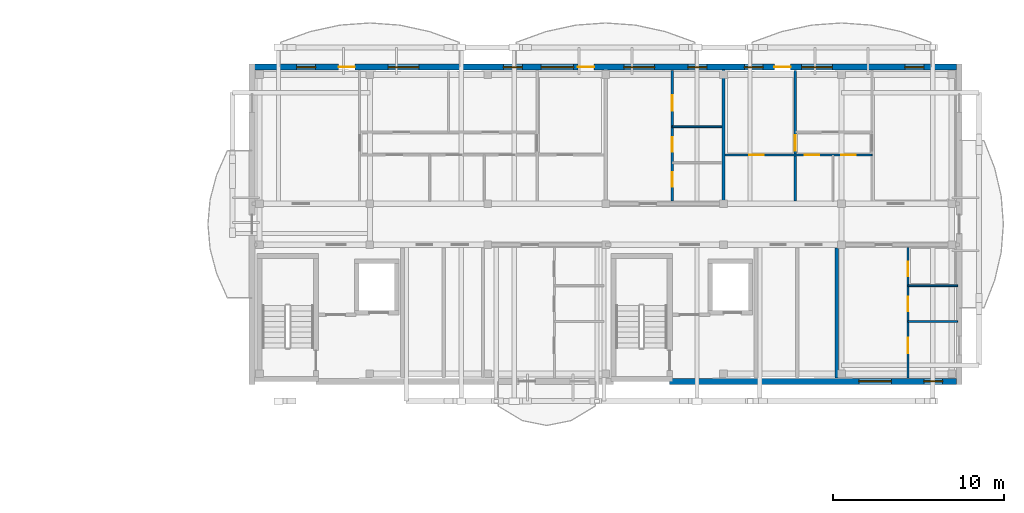
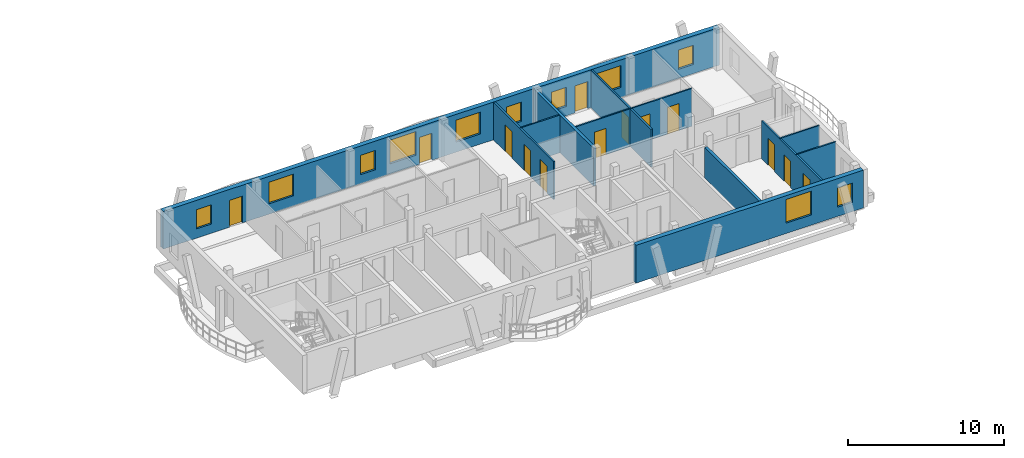
# One storey, part 30 of 42: 13 doors, 11 walls, 11 windows, 24 openings.
"""IFC4 building model written with IfcOpenShell, lengths in metres."""

from ifc_helpers import new_model, si_unit, direction, frame, frame_2d, origin, origin_with_axes, place, context, subcontext, project, spatial, rectangle, extrude, material, layer, layer_set, type_object, element, fill, save


model = new_model("IFC4")

# Units and contexts
model_context = context("Model", 3, precision=1e-05, world=origin(), true_north=direction((0.0, 1.0)))
body_context = subcontext(model_context, "Body", "Model", "MODEL_VIEW")
ifc_project = project(units=[si_unit("LENGTHUNIT", "METRE"), si_unit("AREAUNIT", "SQUARE_METRE"), si_unit("VOLUMEUNIT", "CUBIC_METRE"), si_unit("PLANEANGLEUNIT", "RADIAN"), si_unit("MASSUNIT", "GRAM", prefix="KILO")], contexts=[model_context])

# Site, building, storey
site_placement = place(None, origin())
site = spatial("IfcSite", under=ifc_project, at=site_placement, CompositionType="ELEMENT")
building_placement = place(site_placement, origin())
building = spatial("IfcBuilding", under=site, at=building_placement, Name="Zavelmont Quarter", CompositionType="ELEMENT")
storey_placement = place(building_placement, frame((0.0, 0.0, 24.0)))
storey = spatial("IfcBuildingStorey", under=building, at=storey_placement, Name="L07", CompositionType="ELEMENT", Elevation=24.0)

# Wall, openings, windows
ifc_material_1 = material(Name="Natural Belgian limestone", Category="masonry")
ifc_layer_1 = layer(ifc_material_1, 0.340087890625)
ifc_layer_set_1 = layer_set([ifc_layer_1], Name="Natural Belgian limestone")
wall_type_1 = type_object("IfcWallType", Name="EW03", PredefinedType="STANDARD", material=ifc_layer_set_1)
wall_1_placement = place(storey_placement, frame((151.050048828125, 97.60009765625, 0.0), z_axis=(0.0, 0.0, 1.0), x_axis=(1.0, 0.0, 0.0)))
wall_1 = element("IfcWall", 1, at=wall_1_placement, inside=storey, type_object=wall_type_1, Name="L07 exterior limestone wall EW03", PredefinedType="STANDARD", context=body_context, shape_type="SweptSolid", body=[
    extrude(rectangle(XDim=16.7900390625, YDim=0.340087890625, at=frame_2d((8.39501953125, 0.0))), origin(), (0.0, 0.0, 1.0), 2.949951171875),
])
opening_1_placement = place(wall_1_placement, frame((11.070068359375, 0.0, 0.800048828125)))
opening_1 = element("IfcOpeningElement", 2, at=opening_1_placement, cuts=wall_1, Name="Opening WN20", PredefinedType="OPENING", context=body_context, shape_type="SweptSolid", body=[
    extrude(rectangle(XDim=1.89990234375, YDim=1.85009765625, at=frame_2d((0.949951171875, 0.925048828125))), frame((0.0, 0.18212890625, 0.0), z_axis=(0.0, -1.0, 0.0), x_axis=(1.0, 0.0, 0.0)), (0.0, 0.0, 1.0), 0.364013671875),
])
opening_2_placement = place(wall_1_placement, frame((14.8701171875, 0.0, 0.719970703125)))
opening_2 = element("IfcOpeningElement", 3, at=opening_2_placement, cuts=wall_1, Name="Opening WN09", PredefinedType="OPENING", context=body_context, shape_type="SweptSolid", body=[
    extrude(rectangle(XDim=1.10009765625, YDim=1.5, at=frame_2d((0.550048828125, 0.75))), frame((0.0, 0.18212890625, 0.0), z_axis=(0.0, -1.0, 0.0), x_axis=(1.0, 0.0, 0.0)), (0.0, 0.0, 1.0), 0.364013671875),
])
ifc_material_2 = material(Name="Double low-E insulated glazing in thermally broken aluminium frame", Category="aluminium")
window_type_1 = type_object("IfcWindowType", Name="WN09", PartitioningType="SINGLE_PANEL", PredefinedType="WINDOW", material=ifc_material_2)
window_1_placement = place(opening_2_placement, origin_with_axes())
window_1 = element("IfcWindow", 4, at=window_1_placement, inside=storey, type_object=window_type_1, Name="L07 window WN09", OverallHeight=1.5, OverallWidth=1.10009765625, PartitioningType="SINGLE_PANEL", PredefinedType="WINDOW", context=body_context, shape_type="SweptSolid", body=[
    extrude(rectangle(XDim=1.10009765625, YDim=1.5, at=frame_2d((0.550048828125, 0.75))), frame((0.0, 0.030029296875, 0.0), z_axis=(0.0, -1.0, 0.0), x_axis=(1.0, 0.0, 0.0)), (0.0, 0.0, 1.0), 0.06005859375),
])
fill(opening_2, window_1)
window_type_2 = type_object("IfcWindowType", Name="WN20", PartitioningType="SINGLE_PANEL", PredefinedType="WINDOW", material=ifc_material_2)
window_2_placement = place(opening_1_placement, origin_with_axes())
window_2 = element("IfcWindow", 5, at=window_2_placement, inside=storey, type_object=window_type_2, Name="L07 window WN20", OverallHeight=1.85009765625, OverallWidth=1.89990234375, PartitioningType="SINGLE_PANEL", PredefinedType="WINDOW", context=body_context, shape_type="SweptSolid", body=[
    extrude(rectangle(XDim=1.89990234375, YDim=1.85009765625, at=frame_2d((0.949951171875, 0.925048828125))), frame((0.0, 0.030029296875, 0.0), z_axis=(0.0, -1.0, 0.0), x_axis=(1.0, 0.0, 0.0)), (0.0, 0.0, 1.0), 0.06005859375),
])
fill(opening_1, window_2)

# Wall, openings, doors, windows
wall_2_placement = place(storey_placement, frame((126.760009765625, 116.0, 0.0), z_axis=(0.0, 0.0, 1.0), x_axis=(1.0, 0.0, 0.0)))
wall_2 = element("IfcWall", 6, at=wall_2_placement, inside=storey, type_object=wall_type_1, Name="L07 exterior limestone wall EW03", PredefinedType="STANDARD", context=body_context, shape_type="SweptSolid", body=[
    extrude(rectangle(XDim=41.080078125, YDim=0.340087890625, at=frame_2d((20.5400390625, 0.0))), origin(), (0.0, 0.0, 1.0), 2.949951171875),
])
opening_3_placement = place(wall_2_placement, frame((4.910888671875, 0.0, 0.0)))
opening_3 = element("IfcOpeningElement", 7, at=opening_3_placement, cuts=wall_2, Name="Opening DR04", PredefinedType="OPENING", context=body_context, shape_type="SweptSolid", body=[
    extrude(rectangle(XDim=0.949951171875, YDim=2.10009765625, at=frame_2d((0.47509765625, 1.050048828125))), frame((0.0, 0.18212890625, 0.0), z_axis=(0.0, -1.0, 0.0), x_axis=(1.0, 0.0, 0.0)), (0.0, 0.0, 1.0), 0.364013671875),
])
opening_4_placement = place(wall_2_placement, frame((18.909912109375, 0.0, 0.0)))
opening_4 = element("IfcOpeningElement", 8, at=opening_4_placement, cuts=wall_2, Name="Opening DR04", PredefinedType="OPENING", context=body_context, shape_type="SweptSolid", body=[
    extrude(rectangle(XDim=0.949951171875, YDim=2.10009765625, at=frame_2d((0.47509765625, 1.050048828125))), frame((0.0, 0.18212890625, 0.0), z_axis=(0.0, -1.0, 0.0), x_axis=(1.0, 0.0, 0.0)), (0.0, 0.0, 1.0), 0.364013671875),
])
opening_5_placement = place(wall_2_placement, frame((30.410888671875, 0.0, 0.0)))
opening_5 = element("IfcOpeningElement", 9, at=opening_5_placement, cuts=wall_2, Name="Opening DR04", PredefinedType="OPENING", context=body_context, shape_type="SweptSolid", body=[
    extrude(rectangle(XDim=0.949951171875, YDim=2.10009765625, at=frame_2d((0.47509765625, 1.050048828125))), frame((0.0, 0.18212890625, 0.0), z_axis=(0.0, -1.0, 0.0), x_axis=(1.0, 0.0, 0.0)), (0.0, 0.0, 1.0), 0.364013671875),
])
opening_6_placement = place(wall_2_placement, frame((2.4599609375, 0.0, 0.719970703125)))
opening_6 = element("IfcOpeningElement", 10, at=opening_6_placement, cuts=wall_2, Name="Opening WN09", PredefinedType="OPENING", context=body_context, shape_type="SweptSolid", body=[
    extrude(rectangle(XDim=1.10009765625, YDim=1.5, at=frame_2d((0.550048828125, 0.75))), frame((0.0, 0.18212890625, 0.0), z_axis=(0.0, -1.0, 0.0), x_axis=(1.0, 0.0, 0.0)), (0.0, 0.0, 1.0), 0.364013671875),
])
opening_7_placement = place(wall_2_placement, frame((7.81005859375, 0.0, 0.800048828125)))
opening_7 = element("IfcOpeningElement", 11, at=opening_7_placement, cuts=wall_2, Name="Opening WN02", PredefinedType="OPENING", context=body_context, shape_type="SweptSolid", body=[
    extrude(rectangle(XDim=1.800048828125, YDim=1.699951171875, at=frame_2d((0.89990234375, 0.85009765625))), frame((0.0, 0.18212890625, 0.0), z_axis=(0.0, -1.0, 0.0), x_axis=(1.0, 0.0, 0.0)), (0.0, 0.0, 1.0), 0.364013671875),
])
opening_8_placement = place(wall_2_placement, frame((14.56005859375, 0.0, 0.719970703125)))
opening_8 = element("IfcOpeningElement", 12, at=opening_8_placement, cuts=wall_2, Name="Opening WN09", PredefinedType="OPENING", context=body_context, shape_type="SweptSolid", body=[
    extrude(rectangle(XDim=1.10009765625, YDim=1.5, at=frame_2d((0.550048828125, 0.75))), frame((0.0, 0.18212890625, 0.0), z_axis=(0.0, -1.0, 0.0), x_axis=(1.0, 0.0, 0.0)), (0.0, 0.0, 1.0), 0.364013671875),
])
opening_9_placement = place(wall_2_placement, frame((16.760009765625, 0.0, 0.800048828125)))
opening_9 = element("IfcOpeningElement", 13, at=opening_9_placement, cuts=wall_2, Name="Opening WN20", PredefinedType="OPENING", context=body_context, shape_type="SweptSolid", body=[
    extrude(rectangle(XDim=1.89990234375, YDim=1.85009765625, at=frame_2d((0.949951171875, 0.925048828125))), frame((0.0, 0.18212890625, 0.0), z_axis=(0.0, -1.0, 0.0), x_axis=(1.0, 0.0, 0.0)), (0.0, 0.0, 1.0), 0.364013671875),
])
opening_10_placement = place(wall_2_placement, frame((21.610107421875, 0.0, 0.800048828125)))
opening_10 = element("IfcOpeningElement", 14, at=opening_10_placement, cuts=wall_2, Name="Opening WN02", PredefinedType="OPENING", context=body_context, shape_type="SweptSolid", body=[
    extrude(rectangle(XDim=1.800048828125, YDim=1.699951171875, at=frame_2d((0.89990234375, 0.85009765625))), frame((0.0, 0.18212890625, 0.0), z_axis=(0.0, -1.0, 0.0), x_axis=(1.0, 0.0, 0.0)), (0.0, 0.0, 1.0), 0.364013671875),
])
opening_11_placement = place(wall_2_placement, frame((25.360107421875, 0.0, 0.719970703125)))
opening_11 = element("IfcOpeningElement", 15, at=opening_11_placement, cuts=wall_2, Name="Opening WN09", PredefinedType="OPENING", context=body_context, shape_type="SweptSolid", body=[
    extrude(rectangle(XDim=1.10009765625, YDim=1.5, at=frame_2d((0.550048828125, 0.75))), frame((0.0, 0.18212890625, 0.0), z_axis=(0.0, -1.0, 0.0), x_axis=(1.0, 0.0, 0.0)), (0.0, 0.0, 1.0), 0.364013671875),
])
opening_12_placement = place(wall_2_placement, frame((28.659912109375, 0.0, 0.719970703125)))
opening_12 = element("IfcOpeningElement", 16, at=opening_12_placement, cuts=wall_2, Name="Opening WN09", PredefinedType="OPENING", context=body_context, shape_type="SweptSolid", body=[
    extrude(rectangle(XDim=1.10009765625, YDim=1.5, at=frame_2d((0.550048828125, 0.75))), frame((0.0, 0.18212890625, 0.0), z_axis=(0.0, -1.0, 0.0), x_axis=(1.0, 0.0, 0.0)), (0.0, 0.0, 1.0), 0.364013671875),
])
opening_13_placement = place(wall_2_placement, frame((32.010009765625, 0.0, 0.800048828125)))
opening_13 = element("IfcOpeningElement", 17, at=opening_13_placement, cuts=wall_2, Name="Opening WN02", PredefinedType="OPENING", context=body_context, shape_type="SweptSolid", body=[
    extrude(rectangle(XDim=1.800048828125, YDim=1.699951171875, at=frame_2d((0.89990234375, 0.85009765625))), frame((0.0, 0.18212890625, 0.0), z_axis=(0.0, -1.0, 0.0), x_axis=(1.0, 0.0, 0.0)), (0.0, 0.0, 1.0), 0.364013671875),
])
opening_14_placement = place(wall_2_placement, frame((38.06005859375, 0.0, 0.719970703125)))
opening_14 = element("IfcOpeningElement", 18, at=opening_14_placement, cuts=wall_2, Name="Opening WN09", PredefinedType="OPENING", context=body_context, shape_type="SweptSolid", body=[
    extrude(rectangle(XDim=1.10009765625, YDim=1.5, at=frame_2d((0.550048828125, 0.75))), frame((0.0, 0.18212890625, 0.0), z_axis=(0.0, -1.0, 0.0), x_axis=(1.0, 0.0, 0.0)), (0.0, 0.0, 1.0), 0.364013671875),
])
ifc_material_3 = material(Name="Thermally broken aluminium and double safety glass", Category="aluminium")
door_type_1 = type_object("IfcDoorType", Name="DR04", OperationType="NOTDEFINED", PredefinedType="DOOR", material=ifc_material_3)
door_1_placement = place(opening_3_placement, frame((0.949951171875, 0.0, 0.0), z_axis=(0.0, 0.0, 1.0), x_axis=(-1.0, 0.0, 0.0)))
door_1 = element("IfcDoor", 19, at=door_1_placement, inside=storey, type_object=door_type_1, Name="Block C L07 glazed balcony door", OperationType="SINGLE_SWING_LEFT", OverallHeight=2.10009765625, OverallWidth=0.949951171875, PredefinedType="DOOR", context=body_context, shape_type="SweptSolid", body=[
    extrude(rectangle(XDim=0.949951171875, YDim=2.10009765625, at=frame_2d((0.47509765625, 1.050048828125))), frame((0.0, 0.02490234375, 0.0), z_axis=(0.0, -1.0, 0.0), x_axis=(1.0, 0.0, 0.0)), (0.0, 0.0, 1.0), 0.050048828125),
])
fill(opening_3, door_1)
door_2_placement = place(opening_4_placement, frame((0.949951171875, 0.0, 0.0), z_axis=(0.0, 0.0, 1.0), x_axis=(-1.0, 0.0, 0.0)))
door_2 = element("IfcDoor", 20, at=door_2_placement, inside=storey, type_object=door_type_1, Name="Block C L07 glazed balcony door", OperationType="SINGLE_SWING_LEFT", OverallHeight=2.10009765625, OverallWidth=0.949951171875, PredefinedType="DOOR", context=body_context, shape_type="SweptSolid", body=[
    extrude(rectangle(XDim=0.949951171875, YDim=2.10009765625, at=frame_2d((0.47509765625, 1.050048828125))), frame((0.0, 0.02490234375, 0.0), z_axis=(0.0, -1.0, 0.0), x_axis=(1.0, 0.0, 0.0)), (0.0, 0.0, 1.0), 0.050048828125),
])
fill(opening_4, door_2)
door_3_placement = place(opening_5_placement, frame((0.949951171875, 0.0, 0.0), z_axis=(0.0, 0.0, 1.0), x_axis=(-1.0, 0.0, 0.0)))
door_3 = element("IfcDoor", 21, at=door_3_placement, inside=storey, type_object=door_type_1, Name="Block C L07 glazed balcony door", OperationType="SINGLE_SWING_LEFT", OverallHeight=2.10009765625, OverallWidth=0.949951171875, PredefinedType="DOOR", context=body_context, shape_type="SweptSolid", body=[
    extrude(rectangle(XDim=0.949951171875, YDim=2.10009765625, at=frame_2d((0.47509765625, 1.050048828125))), frame((0.0, 0.02490234375, 0.0), z_axis=(0.0, -1.0, 0.0), x_axis=(1.0, 0.0, 0.0)), (0.0, 0.0, 1.0), 0.050048828125),
])
fill(opening_5, door_3)
window_type_3 = type_object("IfcWindowType", Name="WN02", PartitioningType="SINGLE_PANEL", PredefinedType="WINDOW", material=ifc_material_2)
window_3_placement = place(opening_7_placement, origin_with_axes())
window_3 = element("IfcWindow", 22, at=window_3_placement, inside=storey, type_object=window_type_3, Name="L07 window WN02", OverallHeight=1.699951171875, OverallWidth=1.800048828125, PartitioningType="SINGLE_PANEL", PredefinedType="WINDOW", context=body_context, shape_type="SweptSolid", body=[
    extrude(rectangle(XDim=1.800048828125, YDim=1.699951171875, at=frame_2d((0.89990234375, 0.85009765625))), frame((0.0, 0.030029296875, 0.0), z_axis=(0.0, -1.0, 0.0), x_axis=(1.0, 0.0, 0.0)), (0.0, 0.0, 1.0), 0.06005859375),
])
fill(opening_7, window_3)
window_4_placement = place(opening_10_placement, origin_with_axes())
window_4 = element("IfcWindow", 23, at=window_4_placement, inside=storey, type_object=window_type_3, Name="L07 window WN02", OverallHeight=1.699951171875, OverallWidth=1.800048828125, PartitioningType="SINGLE_PANEL", PredefinedType="WINDOW", context=body_context, shape_type="SweptSolid", body=[
    extrude(rectangle(XDim=1.800048828125, YDim=1.699951171875, at=frame_2d((0.89990234375, 0.85009765625))), frame((0.0, 0.030029296875, 0.0), z_axis=(0.0, -1.0, 0.0), x_axis=(1.0, 0.0, 0.0)), (0.0, 0.0, 1.0), 0.06005859375),
])
fill(opening_10, window_4)
window_5_placement = place(opening_13_placement, origin_with_axes())
window_5 = element("IfcWindow", 24, at=window_5_placement, inside=storey, type_object=window_type_3, Name="L07 window WN02", OverallHeight=1.699951171875, OverallWidth=1.800048828125, PartitioningType="SINGLE_PANEL", PredefinedType="WINDOW", context=body_context, shape_type="SweptSolid", body=[
    extrude(rectangle(XDim=1.800048828125, YDim=1.699951171875, at=frame_2d((0.89990234375, 0.85009765625))), frame((0.0, 0.030029296875, 0.0), z_axis=(0.0, -1.0, 0.0), x_axis=(1.0, 0.0, 0.0)), (0.0, 0.0, 1.0), 0.06005859375),
])
fill(opening_13, window_5)
window_6_placement = place(opening_6_placement, origin_with_axes())
window_6 = element("IfcWindow", 25, at=window_6_placement, inside=storey, type_object=window_type_1, Name="L07 window WN09", OverallHeight=1.5, OverallWidth=1.10009765625, PartitioningType="SINGLE_PANEL", PredefinedType="WINDOW", context=body_context, shape_type="SweptSolid", body=[
    extrude(rectangle(XDim=1.10009765625, YDim=1.5, at=frame_2d((0.550048828125, 0.75))), frame((0.0, 0.030029296875, 0.0), z_axis=(0.0, -1.0, 0.0), x_axis=(1.0, 0.0, 0.0)), (0.0, 0.0, 1.0), 0.06005859375),
])
fill(opening_6, window_6)
window_7_placement = place(opening_8_placement, origin_with_axes())
window_7 = element("IfcWindow", 26, at=window_7_placement, inside=storey, type_object=window_type_1, Name="L07 window WN09", OverallHeight=1.5, OverallWidth=1.10009765625, PartitioningType="SINGLE_PANEL", PredefinedType="WINDOW", context=body_context, shape_type="SweptSolid", body=[
    extrude(rectangle(XDim=1.10009765625, YDim=1.5, at=frame_2d((0.550048828125, 0.75))), frame((0.0, 0.030029296875, 0.0), z_axis=(0.0, -1.0, 0.0), x_axis=(1.0, 0.0, 0.0)), (0.0, 0.0, 1.0), 0.06005859375),
])
fill(opening_8, window_7)
window_8_placement = place(opening_11_placement, origin_with_axes())
window_8 = element("IfcWindow", 27, at=window_8_placement, inside=storey, type_object=window_type_1, Name="L07 window WN09", OverallHeight=1.5, OverallWidth=1.10009765625, PartitioningType="SINGLE_PANEL", PredefinedType="WINDOW", context=body_context, shape_type="SweptSolid", body=[
    extrude(rectangle(XDim=1.10009765625, YDim=1.5, at=frame_2d((0.550048828125, 0.75))), frame((0.0, 0.030029296875, 0.0), z_axis=(0.0, -1.0, 0.0), x_axis=(1.0, 0.0, 0.0)), (0.0, 0.0, 1.0), 0.06005859375),
])
fill(opening_11, window_8)
window_9_placement = place(opening_12_placement, origin_with_axes())
window_9 = element("IfcWindow", 28, at=window_9_placement, inside=storey, type_object=window_type_1, Name="L07 window WN09", OverallHeight=1.5, OverallWidth=1.10009765625, PartitioningType="SINGLE_PANEL", PredefinedType="WINDOW", context=body_context, shape_type="SweptSolid", body=[
    extrude(rectangle(XDim=1.10009765625, YDim=1.5, at=frame_2d((0.550048828125, 0.75))), frame((0.0, 0.030029296875, 0.0), z_axis=(0.0, -1.0, 0.0), x_axis=(1.0, 0.0, 0.0)), (0.0, 0.0, 1.0), 0.06005859375),
])
fill(opening_12, window_9)
window_10_placement = place(opening_14_placement, origin_with_axes())
window_10 = element("IfcWindow", 29, at=window_10_placement, inside=storey, type_object=window_type_1, Name="L07 window WN09", OverallHeight=1.5, OverallWidth=1.10009765625, PartitioningType="SINGLE_PANEL", PredefinedType="WINDOW", context=body_context, shape_type="SweptSolid", body=[
    extrude(rectangle(XDim=1.10009765625, YDim=1.5, at=frame_2d((0.550048828125, 0.75))), frame((0.0, 0.030029296875, 0.0), z_axis=(0.0, -1.0, 0.0), x_axis=(1.0, 0.0, 0.0)), (0.0, 0.0, 1.0), 0.06005859375),
])
fill(opening_14, window_10)
window_11_placement = place(opening_9_placement, origin_with_axes())
window_11 = element("IfcWindow", 30, at=window_11_placement, inside=storey, type_object=window_type_2, Name="L07 window WN20", OverallHeight=1.85009765625, OverallWidth=1.89990234375, PartitioningType="SINGLE_PANEL", PredefinedType="WINDOW", context=body_context, shape_type="SweptSolid", body=[
    extrude(rectangle(XDim=1.89990234375, YDim=1.85009765625, at=frame_2d((0.949951171875, 0.925048828125))), frame((0.0, 0.030029296875, 0.0), z_axis=(0.0, -1.0, 0.0), x_axis=(1.0, 0.0, 0.0)), (0.0, 0.0, 1.0), 0.06005859375),
])
fill(opening_9, window_11)

# Walls
ifc_material_4 = material(Name="Calcium-silicate blockwork and acoustic plaster", Category="masonry")
ifc_layer_2 = layer(ifc_material_4, 0.199951171875)
ifc_layer_set_2 = layer_set([ifc_layer_2], Name="Calcium-silicate blockwork and acoustic plaster")
wall_type_2 = type_object("IfcWallType", Name="IW01", PredefinedType="PARTITIONING", material=ifc_layer_set_2)
wall_3_placement = place(storey_placement, frame((160.820068359375, 97.800048828125, 0.0), z_axis=(0.0, 0.0, 1.0), x_axis=(0.0, 1.0, 0.0)))
element("IfcWall", 31, at=wall_3_placement, inside=storey, type_object=wall_type_2, Name="L07 Core service end wall IW01", PredefinedType="PARTITIONING", context=body_context, shape_type="SweptSolid", body=[
    extrude(rectangle(XDim=7.599853515625, YDim=0.199951171875, at=frame_2d((3.7998046875, 0.0))), origin(), (0.0, 0.0, 1.0), 2.389892578125),
])
wall_4_placement = place(storey_placement, frame((154.199951171875, 108.14990234375, 0.0), z_axis=(0.0, 0.0, 1.0), x_axis=(0.0, 1.0, 0.0)))
element("IfcWall", 32, at=wall_4_placement, inside=storey, type_object=wall_type_2, Name="L07 Inter-dwelling compartment wall IW01", PredefinedType="PARTITIONING", context=body_context, shape_type="SweptSolid", body=[
    extrude(rectangle(XDim=7.7001953125, YDim=0.199951171875, at=frame_2d((3.85009765625, 0.0))), origin(), (0.0, 0.0, 1.0), 2.949951171875),
])

# Wall, openings, doors
ifc_material_5 = material(Name="Double gypsum board on acoustic steel stud", Category="steel")
ifc_layer_3 = layer(ifc_material_5, 0.125)
ifc_layer_set_3 = layer_set([ifc_layer_3], Name="Double gypsum board on acoustic steel stud")
wall_type_3 = type_object("IfcWallType", Name="IW03", PredefinedType="PARTITIONING", material=ifc_layer_set_3)
wall_5_placement = place(storey_placement, frame((151.199951171875, 108.14990234375, 0.0), z_axis=(0.0, 0.0, 1.0), x_axis=(0.0, 1.0, 0.0)))
wall_5 = element("IfcWall", 33, at=wall_5_placement, inside=storey, type_object=wall_type_3, Name="L07 Partition IW03", PredefinedType="PARTITIONING", context=body_context, shape_type="SweptSolid", body=[
    extrude(rectangle(XDim=7.650146484375, YDim=0.125, at=frame_2d((3.8251953125, 0.0))), origin(), (0.0, 0.0, 1.0), 2.949951171875),
])
opening_15_placement = place(wall_5_placement, frame((0.85009765625, 0.0, 0.0)))
opening_15 = element("IfcOpeningElement", 34, at=opening_15_placement, cuts=wall_5, Name="Opening DR16", PredefinedType="OPENING", context=body_context, shape_type="SweptSolid", body=[
    extrude(rectangle(XDim=0.85009765625, YDim=2.10009765625, at=frame_2d((0.425048828125, 1.050048828125))), frame((0.0, 0.074462890625, 0.0), z_axis=(0.0, -1.0, 0.0), x_axis=(1.0, 0.0, 0.0)), (0.0, 0.0, 1.0), 0.14892578125),
])
opening_16_placement = place(wall_5_placement, frame((2.89990234375, 0.0, 0.0)))
opening_16 = element("IfcOpeningElement", 35, at=opening_16_placement, cuts=wall_5, Name="Opening DR06", PredefinedType="OPENING", context=body_context, shape_type="SweptSolid", body=[
    extrude(rectangle(XDim=0.85009765625, YDim=2.050048828125, at=frame_2d((0.425048828125, 1.02490234375))), frame((0.0, 0.074462890625, 0.0), z_axis=(0.0, -1.0, 0.0), x_axis=(1.0, 0.0, 0.0)), (0.0, 0.0, 1.0), 0.14892578125),
])
opening_17_placement = place(wall_5_placement, frame((5.300048828125, 0.0, 0.0)))
opening_17 = element("IfcOpeningElement", 36, at=opening_17_placement, cuts=wall_5, Name="Opening DR05", PredefinedType="OPENING", context=body_context, shape_type="SweptSolid", body=[
    extrude(rectangle(XDim=0.89990234375, YDim=2.10009765625, at=frame_2d((0.449951171875, 1.050048828125))), frame((0.0, 0.074462890625, 0.0), z_axis=(0.0, -1.0, 0.0), x_axis=(1.0, 0.0, 0.0)), (0.0, 0.0, 1.0), 0.14892578125),
])
ifc_material_6 = material(Name="Engineered oak flush interior door")
door_type_2 = type_object("IfcDoorType", Name="DR05", OperationType="NOTDEFINED", PredefinedType="DOOR", material=ifc_material_6)
door_4_placement = place(opening_17_placement, origin_with_axes())
door_4 = element("IfcDoor", 37, at=door_4_placement, inside=storey, type_object=door_type_2, Name="L07 door DR05", OperationType="SINGLE_SWING_RIGHT", OverallHeight=2.10009765625, OverallWidth=0.89990234375, PredefinedType="DOOR", context=body_context, shape_type="SweptSolid", body=[
    extrude(rectangle(XDim=0.89990234375, YDim=2.10009765625, at=frame_2d((0.449951171875, 1.050048828125))), frame((0.0, 0.02490234375, 0.0), z_axis=(0.0, -1.0, 0.0), x_axis=(1.0, 0.0, 0.0)), (0.0, 0.0, 1.0), 0.050048828125),
])
fill(opening_17, door_4)
ifc_material_7 = material(Name="Moisture-resistant painted wet-room door")
door_type_3 = type_object("IfcDoorType", Name="DR06", OperationType="NOTDEFINED", PredefinedType="DOOR", material=ifc_material_7)
door_5_placement = place(opening_16_placement, frame((0.85009765625, 0.0, 0.0), z_axis=(0.0, 0.0, 1.0), x_axis=(-1.0, 0.0, 0.0)))
door_5 = element("IfcDoor", 38, at=door_5_placement, inside=storey, type_object=door_type_3, Name="L07 door DR06", OperationType="SINGLE_SWING_LEFT", OverallHeight=2.050048828125, OverallWidth=0.85009765625, PredefinedType="DOOR", context=body_context, shape_type="SweptSolid", body=[
    extrude(rectangle(XDim=0.85009765625, YDim=2.050048828125, at=frame_2d((0.425048828125, 1.02490234375))), frame((0.0, 0.02490234375, 0.0), z_axis=(0.0, -1.0, 0.0), x_axis=(1.0, 0.0, 0.0)), (0.0, 0.0, 1.0), 0.050048828125),
])
fill(opening_16, door_5)
door_type_4 = type_object("IfcDoorType", Name="DR16", OperationType="NOTDEFINED", PredefinedType="DOOR", material=ifc_material_6)
door_6_placement = place(opening_15_placement, origin_with_axes())
door_6 = element("IfcDoor", 39, at=door_6_placement, inside=storey, type_object=door_type_4, Name="L07 door DR16", OperationType="SINGLE_SWING_RIGHT", OverallHeight=2.10009765625, OverallWidth=0.85009765625, PredefinedType="DOOR", context=body_context, shape_type="SweptSolid", body=[
    extrude(rectangle(XDim=0.85009765625, YDim=2.10009765625, at=frame_2d((0.425048828125, 1.050048828125))), frame((0.0, 0.02490234375, 0.0), z_axis=(0.0, -1.0, 0.0), x_axis=(1.0, 0.0, 0.0)), (0.0, 0.0, 1.0), 0.050048828125),
])
fill(opening_15, door_6)

# Wall, opening, door
wall_6_placement = place(storey_placement, frame((158.39990234375, 108.14990234375, 0.0), z_axis=(0.0, 0.0, 1.0), x_axis=(0.0, 1.0, 0.0)))
wall_6 = element("IfcWall", 40, at=wall_6_placement, inside=storey, type_object=wall_type_3, Name="L07 Partition IW03", PredefinedType="PARTITIONING", context=body_context, shape_type="SweptSolid", body=[
    extrude(rectangle(XDim=7.650146484375, YDim=0.125, at=frame_2d((3.8251953125, 0.0))), origin(), (0.0, 0.0, 1.0), 2.949951171875),
])
opening_18_placement = place(wall_6_placement, frame((2.949951171875, 0.0, 0.0)))
opening_18 = element("IfcOpeningElement", 41, at=opening_18_placement, cuts=wall_6, Name="Opening DR05", PredefinedType="OPENING", context=body_context, shape_type="SweptSolid", body=[
    extrude(rectangle(XDim=0.89990234375, YDim=2.10009765625, at=frame_2d((0.449951171875, 1.050048828125))), frame((0.0, 0.074462890625, 0.0), z_axis=(0.0, -1.0, 0.0), x_axis=(1.0, 0.0, 0.0)), (0.0, 0.0, 1.0), 0.14892578125),
])
door_7_placement = place(opening_18_placement, frame((0.89990234375, 0.0, 0.0), z_axis=(0.0, 0.0, 1.0), x_axis=(-1.0, 0.0, 0.0)))
door_7 = element("IfcDoor", 42, at=door_7_placement, inside=storey, type_object=door_type_2, Name="L07 door DR05", OperationType="SINGLE_SWING_RIGHT", OverallHeight=2.10009765625, OverallWidth=0.89990234375, PredefinedType="DOOR", context=body_context, shape_type="SweptSolid", body=[
    extrude(rectangle(XDim=0.89990234375, YDim=2.10009765625, at=frame_2d((0.449951171875, 1.050048828125))), frame((0.0, 0.02490234375, 0.0), z_axis=(0.0, -1.0, 0.0), x_axis=(1.0, 0.0, 0.0)), (0.0, 0.0, 1.0), 0.050048828125),
])
fill(opening_18, door_7)

# Wall, openings, doors
wall_7_placement = place(storey_placement, frame((165.0, 105.449951171875, 0.0), z_axis=(0.0, 0.0, 1.0), x_axis=(0.0, -1.0, 0.0)))
wall_7 = element("IfcWall", 43, at=wall_7_placement, inside=storey, type_object=wall_type_3, Name="L07 Partition IW03", PredefinedType="PARTITIONING", context=body_context, shape_type="SweptSolid", body=[
    extrude(rectangle(XDim=7.64990234375, YDim=0.125, at=frame_2d((3.824951171875, 0.0))), origin(), (0.0, 0.0, 1.0), 2.949951171875),
])
opening_19_placement = place(wall_7_placement, frame((0.85009765625, 0.0, 0.0)))
opening_19 = element("IfcOpeningElement", 44, at=opening_19_placement, cuts=wall_7, Name="Opening DR16", PredefinedType="OPENING", context=body_context, shape_type="SweptSolid", body=[
    extrude(rectangle(XDim=0.85009765625, YDim=2.10009765625, at=frame_2d((0.425048828125, 1.050048828125))), frame((0.0, 0.074462890625, 0.0), z_axis=(0.0, -1.0, 0.0), x_axis=(1.0, 0.0, 0.0)), (0.0, 0.0, 1.0), 0.14892578125),
])
opening_20_placement = place(wall_7_placement, frame((2.89990234375, 0.0, 0.0)))
opening_20 = element("IfcOpeningElement", 45, at=opening_20_placement, cuts=wall_7, Name="Opening DR06", PredefinedType="OPENING", context=body_context, shape_type="SweptSolid", body=[
    extrude(rectangle(XDim=0.85009765625, YDim=2.050048828125, at=frame_2d((0.425048828125, 1.02490234375))), frame((0.0, 0.074462890625, 0.0), z_axis=(0.0, -1.0, 0.0), x_axis=(1.0, 0.0, 0.0)), (0.0, 0.0, 1.0), 0.14892578125),
])
opening_21_placement = place(wall_7_placement, frame((5.300048828125, 0.0, 0.0)))
opening_21 = element("IfcOpeningElement", 46, at=opening_21_placement, cuts=wall_7, Name="Opening DR05", PredefinedType="OPENING", context=body_context, shape_type="SweptSolid", body=[
    extrude(rectangle(XDim=0.89990234375, YDim=2.10009765625, at=frame_2d((0.449951171875, 1.050048828125))), frame((0.0, 0.074462890625, 0.0), z_axis=(0.0, -1.0, 0.0), x_axis=(1.0, 0.0, 0.0)), (0.0, 0.0, 1.0), 0.14892578125),
])
door_8_placement = place(opening_21_placement, frame((0.89990234375, 0.0, 0.0), z_axis=(0.0, 0.0, 1.0), x_axis=(-1.0, 0.0, 0.0)))
door_8 = element("IfcDoor", 47, at=door_8_placement, inside=storey, type_object=door_type_2, Name="L07 door DR05", OperationType="SINGLE_SWING_RIGHT", OverallHeight=2.10009765625, OverallWidth=0.89990234375, PredefinedType="DOOR", context=body_context, shape_type="SweptSolid", body=[
    extrude(rectangle(XDim=0.89990234375, YDim=2.10009765625, at=frame_2d((0.449951171875, 1.050048828125))), frame((0.0, 0.02490234375, 0.0), z_axis=(0.0, -1.0, 0.0), x_axis=(1.0, 0.0, 0.0)), (0.0, 0.0, 1.0), 0.050048828125),
])
fill(opening_21, door_8)
door_9_placement = place(opening_20_placement, origin_with_axes())
door_9 = element("IfcDoor", 48, at=door_9_placement, inside=storey, type_object=door_type_3, Name="L07 door DR06", OperationType="SINGLE_SWING_LEFT", OverallHeight=2.050048828125, OverallWidth=0.85009765625, PredefinedType="DOOR", context=body_context, shape_type="SweptSolid", body=[
    extrude(rectangle(XDim=0.85009765625, YDim=2.050048828125, at=frame_2d((0.425048828125, 1.02490234375))), frame((0.0, 0.02490234375, 0.0), z_axis=(0.0, -1.0, 0.0), x_axis=(1.0, 0.0, 0.0)), (0.0, 0.0, 1.0), 0.050048828125),
])
fill(opening_20, door_9)
door_10_placement = place(opening_19_placement, frame((0.85009765625, 0.0, 0.0), z_axis=(0.0, 0.0, 1.0), x_axis=(-1.0, 0.0, 0.0)))
door_10 = element("IfcDoor", 49, at=door_10_placement, inside=storey, type_object=door_type_4, Name="L07 door DR16", OperationType="SINGLE_SWING_RIGHT", OverallHeight=2.10009765625, OverallWidth=0.85009765625, PredefinedType="DOOR", context=body_context, shape_type="SweptSolid", body=[
    extrude(rectangle(XDim=0.85009765625, YDim=2.10009765625, at=frame_2d((0.425048828125, 1.050048828125))), frame((0.0, 0.02490234375, 0.0), z_axis=(0.0, -1.0, 0.0), x_axis=(1.0, 0.0, 0.0)), (0.0, 0.0, 1.0), 0.050048828125),
])
fill(opening_19, door_10)

# Wall
ifc_material_8 = material(Name="Moisture-resistant gypsum board on steel stud", Category="steel")
ifc_layer_4 = layer(ifc_material_8, 0.10009765625)
ifc_layer_set_4 = layer_set([ifc_layer_4], Name="Moisture-resistant gypsum board on steel stud")
wall_type_4 = type_object("IfcWallType", Name="IW04", PredefinedType="PARTITIONING", material=ifc_layer_set_4)
wall_8_placement = place(storey_placement, frame((151.199951171875, 112.5, 0.0), z_axis=(0.0, 0.0, 1.0), x_axis=(1.0, 0.0, 0.0)))
element("IfcWall", 50, at=wall_8_placement, inside=storey, type_object=wall_type_4, Name="L07 Partition IW04", PredefinedType="PARTITIONING", context=body_context, shape_type="SweptSolid", body=[
    extrude(rectangle(XDim=2.900146484375, YDim=0.10009765625, at=frame_2d((1.4501953125, 0.0))), origin(), (0.0, 0.0, 1.0), 2.949951171875),
])

# Wall, openings, doors
wall_9_placement = place(storey_placement, frame((154.300048828125, 110.85009765625, 0.0), z_axis=(0.0, 0.0, 1.0), x_axis=(1.0, 0.0, 0.0)))
wall_9 = element("IfcWall", 51, at=wall_9_placement, inside=storey, type_object=wall_type_4, Name="L07 Partition IW04", PredefinedType="PARTITIONING", context=body_context, shape_type="SweptSolid", body=[
    extrude(rectangle(XDim=8.599853515625, YDim=0.10009765625, at=frame_2d((4.2998046875, 0.0))), origin(), (0.0, 0.0, 1.0), 2.949951171875),
])
opening_22_placement = place(wall_9_placement, frame((1.39990234375, 0.0, 0.0)))
opening_22 = element("IfcOpeningElement", 52, at=opening_22_placement, cuts=wall_9, Name="Opening DR06", PredefinedType="OPENING", context=body_context, shape_type="SweptSolid", body=[
    extrude(rectangle(XDim=0.85009765625, YDim=2.050048828125, at=frame_2d((0.425048828125, 1.02490234375))), frame((0.0, 0.06201171875, 0.0), z_axis=(0.0, -1.0, 0.0), x_axis=(1.0, 0.0, 0.0)), (0.0, 0.0, 1.0), 0.1240234375),
])
opening_23_placement = place(wall_9_placement, frame((4.64990234375, 0.0, 0.0)))
opening_23 = element("IfcOpeningElement", 53, at=opening_23_placement, cuts=wall_9, Name="Opening DR06", PredefinedType="OPENING", context=body_context, shape_type="SweptSolid", body=[
    extrude(rectangle(XDim=0.85009765625, YDim=2.050048828125, at=frame_2d((0.425048828125, 1.02490234375))), frame((0.0, 0.06201171875, 0.0), z_axis=(0.0, -1.0, 0.0), x_axis=(1.0, 0.0, 0.0)), (0.0, 0.0, 1.0), 0.1240234375),
])
opening_24_placement = place(wall_9_placement, frame((6.800048828125, 0.0, 0.0)))
opening_24 = element("IfcOpeningElement", 54, at=opening_24_placement, cuts=wall_9, Name="Opening DR16", PredefinedType="OPENING", context=body_context, shape_type="SweptSolid", body=[
    extrude(rectangle(XDim=0.85009765625, YDim=2.10009765625, at=frame_2d((0.425048828125, 1.050048828125))), frame((0.0, 0.06201171875, 0.0), z_axis=(0.0, -1.0, 0.0), x_axis=(1.0, 0.0, 0.0)), (0.0, 0.0, 1.0), 0.1240234375),
])
door_11_placement = place(opening_22_placement, origin_with_axes())
door_11 = element("IfcDoor", 55, at=door_11_placement, inside=storey, type_object=door_type_3, Name="L07 door DR06", OperationType="SINGLE_SWING_LEFT", OverallHeight=2.050048828125, OverallWidth=0.85009765625, PredefinedType="DOOR", context=body_context, shape_type="SweptSolid", body=[
    extrude(rectangle(XDim=0.85009765625, YDim=2.050048828125, at=frame_2d((0.425048828125, 1.02490234375))), frame((0.0, 0.02490234375, 0.0), z_axis=(0.0, -1.0, 0.0), x_axis=(1.0, 0.0, 0.0)), (0.0, 0.0, 1.0), 0.050048828125),
])
fill(opening_22, door_11)
door_12_placement = place(opening_23_placement, frame((0.85009765625, 0.0, 0.0), z_axis=(0.0, 0.0, 1.0), x_axis=(-1.0, 0.0, 0.0)))
door_12 = element("IfcDoor", 56, at=door_12_placement, inside=storey, type_object=door_type_3, Name="L07 door DR06", OperationType="SINGLE_SWING_RIGHT", OverallHeight=2.050048828125, OverallWidth=0.85009765625, PredefinedType="DOOR", context=body_context, shape_type="SweptSolid", body=[
    extrude(rectangle(XDim=0.85009765625, YDim=2.050048828125, at=frame_2d((0.425048828125, 1.02490234375))), frame((0.0, 0.02490234375, 0.0), z_axis=(0.0, -1.0, 0.0), x_axis=(1.0, 0.0, 0.0)), (0.0, 0.0, 1.0), 0.050048828125),
])
fill(opening_23, door_12)
door_13_placement = place(opening_24_placement, origin_with_axes())
door_13 = element("IfcDoor", 57, at=door_13_placement, inside=storey, type_object=door_type_4, Name="L07 door DR16", OperationType="SINGLE_SWING_LEFT", OverallHeight=2.10009765625, OverallWidth=0.85009765625, PredefinedType="DOOR", context=body_context, shape_type="SweptSolid", body=[
    extrude(rectangle(XDim=0.85009765625, YDim=2.10009765625, at=frame_2d((0.425048828125, 1.050048828125))), frame((0.0, 0.02490234375, 0.0), z_axis=(0.0, -1.0, 0.0), x_axis=(1.0, 0.0, 0.0)), (0.0, 0.0, 1.0), 0.050048828125),
])
fill(opening_24, door_13)

# Walls
for number, where, z_axis, x_axis, name in (
    (58, (165.0, 103.199951171875, 0.0), (0.0, 0.0, 1.0), (1.0, 0.0, 0.0), "L07 Partition IW04"),
    (59, (165.0, 101.10009765625, 0.0), (0.0, 0.0, 1.0), (1.0, 0.0, 0.0), "L07 Partition IW04"),
):
    element("IfcWall", number, at=place(storey_placement, frame(where, z_axis=z_axis, x_axis=x_axis)), inside=storey, type_object=wall_type_4, Name=name, PredefinedType="PARTITIONING", context=body_context, shape_type="SweptSolid", body=[
        extrude(rectangle(XDim=2.89990234375, YDim=0.10009765625, at=frame_2d((1.449951171875, 0.0))), origin(), (0.0, 0.0, 1.0), 2.949951171875),
    ])

save(model, "model.ifc")
